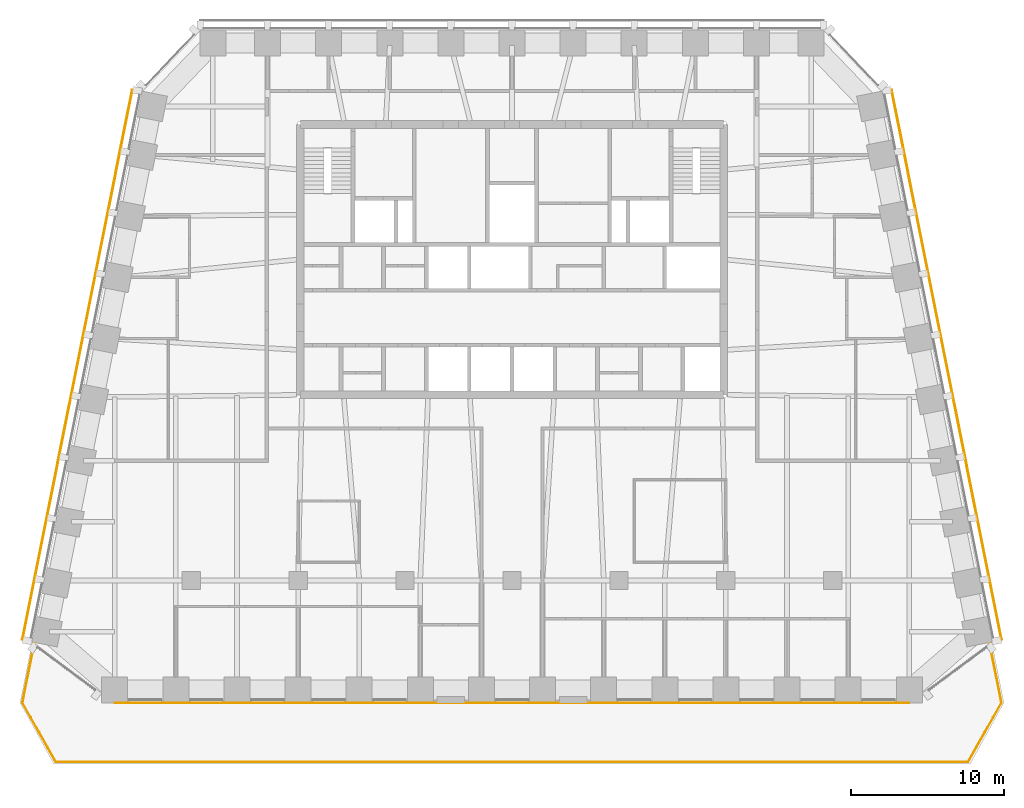
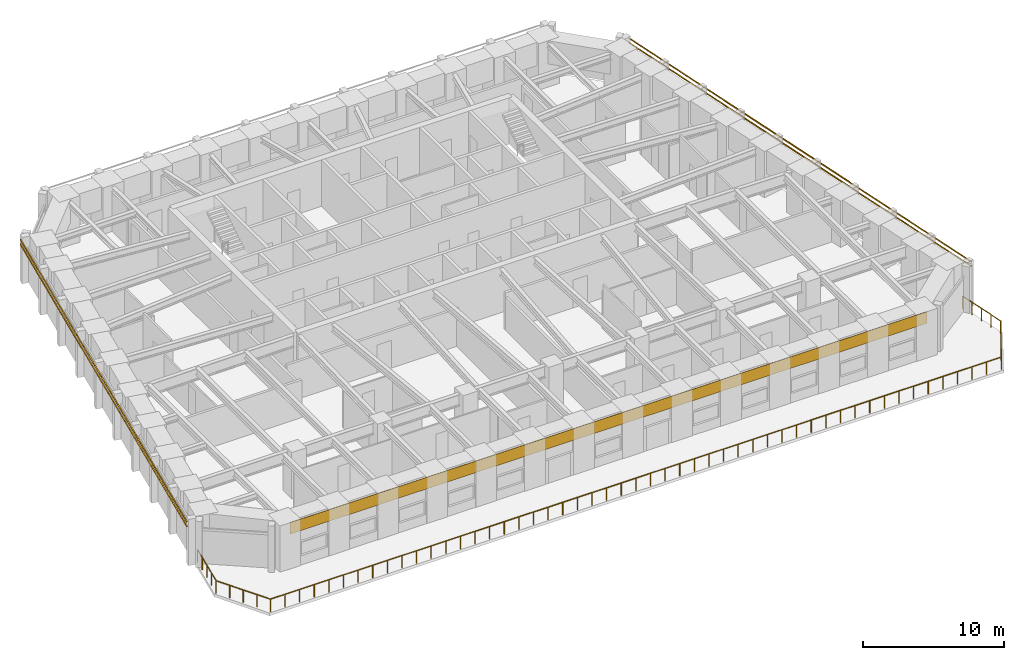
# One storey, part 9 of 10: 4 shading devices, 1 covering, 1 railing.
"""IFC4 building model written with IfcOpenShell, lengths in metres."""

from ifc_helpers import new_model, si_unit, direction, frame, origin, origin_2d, place, context, subcontext, project, spatial, rectangle, circle, extrude, material, layer, layer_set, material_profile, profile_set, type_object, element, save


model = new_model("IFC4")

# Units and contexts
model_context = context("Model", 3, precision=1e-05, world=origin(), true_north=direction((0.0, 1.0)))
body_context = subcontext(model_context, "Body", "Model", "MODEL_VIEW")
ifc_project = project(units=[si_unit("LENGTHUNIT", "METRE"), si_unit("AREAUNIT", "SQUARE_METRE"), si_unit("VOLUMEUNIT", "CUBIC_METRE"), si_unit("PLANEANGLEUNIT", "RADIAN"), si_unit("MASSUNIT", "GRAM", prefix="KILO")], contexts=[model_context])

# Site, building, storey
site_placement = place(None, origin())
site = spatial("IfcSite", under=ifc_project, at=site_placement, CompositionType="ELEMENT")
building_placement = place(site_placement, origin())
building = spatial("IfcBuilding", under=site, at=building_placement, Name="Isbrekke Arena Tower", CompositionType="ELEMENT")
storey_placement = place(building_placement, frame((0.0, 0.0, 260.0)))
storey = spatial("IfcBuildingStorey", under=building, at=storey_placement, Name="L60", CompositionType="ELEMENT", Elevation=260.0)

# Shading devices
ifc_material_1 = material(Name="Terracotta", Category="masonry")
ifc_material_profile = material_profile(ifc_material_1, rectangle(XDim=0.06005859375, YDim=0.06005859375, at=origin_2d()), Name="BAGUETTE 60X60")
ifc_profile_set = profile_set([ifc_material_profile], Name="Terracotta")
shading_device_type = type_object("IfcShadingDeviceType", Name="BG1 TERRACOTTA BAGUETTE 60 x 60", PredefinedType="USERDEFINED", material=ifc_profile_set)
for number, where, z_axis, x_axis, name in (
    (1, (32.042236328125, -9.87158203125, 3.280029296875), (-0.196114856294, 0.980580931459, 0.0), (-0.980580931459, -0.196114856294, 0.0), "BG1 terracotta baguette E1 L60"),
    (2, (32.042236328125, -9.87158203125, 3.679931640625), (-0.196114856294, 0.980580931459, 0.0), (-0.980580931459, -0.196114856294, 0.0), "BG1 terracotta baguette E2 L60"),
    (3, (-24.84228515625, 26.12841796875, 3.280029296875), (-0.196114856294, -0.980580931459, 0.0), (0.980580931459, -0.196114856294, 0.0), "BG1 terracotta baguette W1 L60"),
    (4, (-24.84228515625, 26.12841796875, 3.679931640625), (-0.196114856294, -0.980580931459, 0.0), (0.980580931459, -0.196114856294, 0.0), "BG1 terracotta baguette W2 L60"),
):
    element("IfcShadingDevice", number, at=place(storey_placement, frame(where, z_axis=z_axis, x_axis=x_axis)), inside=storey, type_object=shading_device_type, Name=name, ObjectType="TERRACOTTA BAGUETTE", PredefinedType="USERDEFINED", context=body_context, shape_type="SweptSolid", body=[
        extrude(rectangle(XDim=0.06005859375, YDim=0.06005859375, at=origin_2d()), origin(), (0.0, 0.0, 1.0), 36.712890625),
    ])

# Covering
ifc_material_2 = material(Name="Pre-patinated copper sheet", Category="metal")
ifc_layer = layer(ifc_material_2, 0.02001953125)
ifc_layer_set = layer_set([ifc_layer], Name="CL1 COPPER CLADDING")
covering_type = type_object("IfcCoveringType", Name="CL1 COPPER CLADDING", PredefinedType="CLADDING", material=ifc_layer_set)
covering_placement = place(storey_placement, frame((0.0, -14.010009765625, 3.0), z_axis=(0.0, 0.0, 1.0), x_axis=(1.0, 0.0, 0.0)))
element("IfcCovering", 5, at=covering_placement, inside=storey, type_object=covering_type, Name="CL1 copper cladding L60", PredefinedType="CLADDING", context=body_context, shape_type="SweptSolid", body=[
    extrude(rectangle(XDim=52.0, YDim=0.02001953125, at=origin_2d()), origin(), (0.0, 0.0, 1.0), 1.0),
])

# Railing
ifc_material_3 = material(Name="Galvanised steel guard", Category="steel")
railing_type = type_object("IfcRailingType", Name="GR2 TERRACE GUARD 1100", PredefinedType="GUARDRAIL", material=ifc_material_3)
railing_placement = place(storey_placement, frame((-31.242919921875, -10.0, 0.0)))
element("IfcRailing", 6, at=railing_placement, inside=storey, type_object=railing_type, Name="GR2 terrace guard L60", PredefinedType="GUARDRAIL", context=body_context, shape_type="SweptSolid", body=[
    extrude(circle(Radius=0.02392578125, at=origin_2d()), frame((0.0, 0.0, 1.076171875), z_axis=(-0.195206624513, -0.98076213923, 0.0), x_axis=(0.98076213923, -0.195206624513, 0.0)), (0.0, 0.0, 1.0), 4.078369140625),
    extrude(circle(Radius=0.02392578125, at=origin_2d()), frame((-0.796142578125, -4.0, 1.076171875), z_axis=(0.491374486858, -0.870948398968, 0.0), x_axis=(0.870948398968, 0.491374486858, 0.0)), (0.0, 0.0, 1.0), 4.454833984375),
    extrude(circle(Radius=0.02392578125, at=origin_2d()), frame((1.392822265625, -7.8798828125, 1.076171875), z_axis=(1.0, 0.0, 0.0), x_axis=(0.0, 1.0, 0.0)), (0.0, 0.0, 1.0), 59.7001953125),
    extrude(circle(Radius=0.02392578125, at=origin_2d()), frame((61.093017578125, -7.8798828125, 1.076171875), z_axis=(0.491374486858, 0.870948398968, 0.0), x_axis=(-0.870948398968, 0.491374486858, 0.0)), (0.0, 0.0, 1.0), 4.454833984375),
    extrude(circle(Radius=0.02392578125, at=origin_2d()), frame((63.281982421875, -4.0, 1.076171875), z_axis=(-0.195206624513, 0.98076213923, 0.0), x_axis=(-0.98076213923, -0.195206624513, 0.0)), (0.0, 0.0, 1.0), 4.078369140625),
    extrude(circle(Radius=0.02099609375, at=origin_2d()), origin(), (0.0, 0.0, 1.0), 1.052001953125),
    extrude(circle(Radius=0.02099609375, at=origin_2d()), frame((-0.198974609375, -1.0, 0.0)), (0.0, 0.0, 1.0), 1.052001953125),
    extrude(circle(Radius=0.02099609375, at=origin_2d()), frame((-0.39794921875, -2.0, 0.0)), (0.0, 0.0, 1.0), 1.052001953125),
    extrude(circle(Radius=0.02099609375, at=origin_2d()), frame((-0.59716796875, -3.0, 0.0)), (0.0, 0.0, 1.0), 1.052001953125),
    extrude(circle(Radius=0.02099609375, at=origin_2d()), frame((-0.796142578125, -4.0, 0.0)), (0.0, 0.0, 1.0), 1.052001953125),
    extrude(circle(Radius=0.02099609375, at=origin_2d()), frame((-0.2490234375, -4.969970703125, 0.0)), (0.0, 0.0, 1.0), 1.052001953125),
    extrude(circle(Radius=0.02099609375, at=origin_2d()), frame((0.29833984375, -5.93994140625, 0.0)), (0.0, 0.0, 1.0), 1.052001953125),
    extrude(circle(Radius=0.02099609375, at=origin_2d()), frame((0.845703125, -6.909912109375, 0.0)), (0.0, 0.0, 1.0), 1.052001953125),
    extrude(circle(Radius=0.02099609375, at=origin_2d()), frame((1.392822265625, -7.8798828125, 0.0)), (0.0, 0.0, 1.0), 1.052001953125),
    extrude(circle(Radius=0.02099609375, at=origin_2d()), frame((2.5869140625, -7.8798828125, 0.0)), (0.0, 0.0, 1.0), 1.052001953125),
    extrude(circle(Radius=0.02099609375, at=origin_2d()), frame((3.78076171875, -7.8798828125, 0.0)), (0.0, 0.0, 1.0), 1.052001953125),
    extrude(circle(Radius=0.02099609375, at=origin_2d()), frame((4.974853515625, -7.8798828125, 0.0)), (0.0, 0.0, 1.0), 1.052001953125),
    extrude(circle(Radius=0.02099609375, at=origin_2d()), frame((6.1689453125, -7.8798828125, 0.0)), (0.0, 0.0, 1.0), 1.052001953125),
    extrude(circle(Radius=0.02099609375, at=origin_2d()), frame((7.36279296875, -7.8798828125, 0.0)), (0.0, 0.0, 1.0), 1.052001953125),
    extrude(circle(Radius=0.02099609375, at=origin_2d()), frame((8.556884765625, -7.8798828125, 0.0)), (0.0, 0.0, 1.0), 1.052001953125),
    extrude(circle(Radius=0.02099609375, at=origin_2d()), frame((9.750732421875, -7.8798828125, 0.0)), (0.0, 0.0, 1.0), 1.052001953125),
    extrude(circle(Radius=0.02099609375, at=origin_2d()), frame((10.94482421875, -7.8798828125, 0.0)), (0.0, 0.0, 1.0), 1.052001953125),
    extrude(circle(Radius=0.02099609375, at=origin_2d()), frame((12.138916015625, -7.8798828125, 0.0)), (0.0, 0.0, 1.0), 1.052001953125),
    extrude(circle(Radius=0.02099609375, at=origin_2d()), frame((13.332763671875, -7.8798828125, 0.0)), (0.0, 0.0, 1.0), 1.052001953125),
    extrude(circle(Radius=0.02099609375, at=origin_2d()), frame((14.52685546875, -7.8798828125, 0.0)), (0.0, 0.0, 1.0), 1.052001953125),
    extrude(circle(Radius=0.02099609375, at=origin_2d()), frame((15.720947265625, -7.8798828125, 0.0)), (0.0, 0.0, 1.0), 1.052001953125),
    extrude(circle(Radius=0.02099609375, at=origin_2d()), frame((16.914794921875, -7.8798828125, 0.0)), (0.0, 0.0, 1.0), 1.052001953125),
    extrude(circle(Radius=0.02099609375, at=origin_2d()), frame((18.10888671875, -7.8798828125, 0.0)), (0.0, 0.0, 1.0), 1.052001953125),
    extrude(circle(Radius=0.02099609375, at=origin_2d()), frame((19.302978515625, -7.8798828125, 0.0)), (0.0, 0.0, 1.0), 1.052001953125),
    extrude(circle(Radius=0.02099609375, at=origin_2d()), frame((20.496826171875, -7.8798828125, 0.0)), (0.0, 0.0, 1.0), 1.052001953125),
    extrude(circle(Radius=0.02099609375, at=origin_2d()), frame((21.69091796875, -7.8798828125, 0.0)), (0.0, 0.0, 1.0), 1.052001953125),
    extrude(circle(Radius=0.02099609375, at=origin_2d()), frame((22.885009765625, -7.8798828125, 0.0)), (0.0, 0.0, 1.0), 1.052001953125),
    extrude(circle(Radius=0.02099609375, at=origin_2d()), frame((24.078857421875, -7.8798828125, 0.0)), (0.0, 0.0, 1.0), 1.052001953125),
    extrude(circle(Radius=0.02099609375, at=origin_2d()), frame((25.27294921875, -7.8798828125, 0.0)), (0.0, 0.0, 1.0), 1.052001953125),
    extrude(circle(Radius=0.02099609375, at=origin_2d()), frame((26.466796875, -7.8798828125, 0.0)), (0.0, 0.0, 1.0), 1.052001953125),
    extrude(circle(Radius=0.02099609375, at=origin_2d()), frame((27.660888671875, -7.8798828125, 0.0)), (0.0, 0.0, 1.0), 1.052001953125),
    extrude(circle(Radius=0.02099609375, at=origin_2d()), frame((28.85498046875, -7.8798828125, 0.0)), (0.0, 0.0, 1.0), 1.052001953125),
    extrude(circle(Radius=0.02099609375, at=origin_2d()), frame((30.048828125, -7.8798828125, 0.0)), (0.0, 0.0, 1.0), 1.052001953125),
    extrude(circle(Radius=0.02099609375, at=origin_2d()), frame((31.242919921875, -7.8798828125, 0.0)), (0.0, 0.0, 1.0), 1.052001953125),
    extrude(circle(Radius=0.02099609375, at=origin_2d()), frame((32.43701171875, -7.8798828125, 0.0)), (0.0, 0.0, 1.0), 1.052001953125),
    extrude(circle(Radius=0.02099609375, at=origin_2d()), frame((33.630859375, -7.8798828125, 0.0)), (0.0, 0.0, 1.0), 1.052001953125),
    extrude(circle(Radius=0.02099609375, at=origin_2d()), frame((34.824951171875, -7.8798828125, 0.0)), (0.0, 0.0, 1.0), 1.052001953125),
    extrude(circle(Radius=0.02099609375, at=origin_2d()), frame((36.01904296875, -7.8798828125, 0.0)), (0.0, 0.0, 1.0), 1.052001953125),
    extrude(circle(Radius=0.02099609375, at=origin_2d()), frame((37.212890625, -7.8798828125, 0.0)), (0.0, 0.0, 1.0), 1.052001953125),
    extrude(circle(Radius=0.02099609375, at=origin_2d()), frame((38.406982421875, -7.8798828125, 0.0)), (0.0, 0.0, 1.0), 1.052001953125),
    extrude(circle(Radius=0.02099609375, at=origin_2d()), frame((39.600830078125, -7.8798828125, 0.0)), (0.0, 0.0, 1.0), 1.052001953125),
    extrude(circle(Radius=0.02099609375, at=origin_2d()), frame((40.794921875, -7.8798828125, 0.0)), (0.0, 0.0, 1.0), 1.052001953125),
    extrude(circle(Radius=0.02099609375, at=origin_2d()), frame((41.989013671875, -7.8798828125, 0.0)), (0.0, 0.0, 1.0), 1.052001953125),
    extrude(circle(Radius=0.02099609375, at=origin_2d()), frame((43.182861328125, -7.8798828125, 0.0)), (0.0, 0.0, 1.0), 1.052001953125),
    extrude(circle(Radius=0.02099609375, at=origin_2d()), frame((44.376953125, -7.8798828125, 0.0)), (0.0, 0.0, 1.0), 1.052001953125),
    extrude(circle(Radius=0.02099609375, at=origin_2d()), frame((45.571044921875, -7.8798828125, 0.0)), (0.0, 0.0, 1.0), 1.052001953125),
    extrude(circle(Radius=0.02099609375, at=origin_2d()), frame((46.764892578125, -7.8798828125, 0.0)), (0.0, 0.0, 1.0), 1.052001953125),
    extrude(circle(Radius=0.02099609375, at=origin_2d()), frame((47.958984375, -7.8798828125, 0.0)), (0.0, 0.0, 1.0), 1.052001953125),
    extrude(circle(Radius=0.02099609375, at=origin_2d()), frame((49.153076171875, -7.8798828125, 0.0)), (0.0, 0.0, 1.0), 1.052001953125),
    extrude(circle(Radius=0.02099609375, at=origin_2d()), frame((50.346923828125, -7.8798828125, 0.0)), (0.0, 0.0, 1.0), 1.052001953125),
    extrude(circle(Radius=0.02099609375, at=origin_2d()), frame((51.541015625, -7.8798828125, 0.0)), (0.0, 0.0, 1.0), 1.052001953125),
    extrude(circle(Radius=0.02099609375, at=origin_2d()), frame((52.735107421875, -7.8798828125, 0.0)), (0.0, 0.0, 1.0), 1.052001953125),
    extrude(circle(Radius=0.02099609375, at=origin_2d()), frame((53.928955078125, -7.8798828125, 0.0)), (0.0, 0.0, 1.0), 1.052001953125),
    extrude(circle(Radius=0.02099609375, at=origin_2d()), frame((55.123046875, -7.8798828125, 0.0)), (0.0, 0.0, 1.0), 1.052001953125),
    extrude(circle(Radius=0.02099609375, at=origin_2d()), frame((56.31689453125, -7.8798828125, 0.0)), (0.0, 0.0, 1.0), 1.052001953125),
    extrude(circle(Radius=0.02099609375, at=origin_2d()), frame((57.510986328125, -7.8798828125, 0.0)), (0.0, 0.0, 1.0), 1.052001953125),
    extrude(circle(Radius=0.02099609375, at=origin_2d()), frame((58.705078125, -7.8798828125, 0.0)), (0.0, 0.0, 1.0), 1.052001953125),
    extrude(circle(Radius=0.02099609375, at=origin_2d()), frame((59.89892578125, -7.8798828125, 0.0)), (0.0, 0.0, 1.0), 1.052001953125),
    extrude(circle(Radius=0.02099609375, at=origin_2d()), frame((61.093017578125, -7.8798828125, 0.0)), (0.0, 0.0, 1.0), 1.052001953125),
    extrude(circle(Radius=0.02099609375, at=origin_2d()), frame((61.64013671875, -6.909912109375, 0.0)), (0.0, 0.0, 1.0), 1.052001953125),
    extrude(circle(Radius=0.02099609375, at=origin_2d()), frame((62.1875, -5.93994140625, 0.0)), (0.0, 0.0, 1.0), 1.052001953125),
    extrude(circle(Radius=0.02099609375, at=origin_2d()), frame((62.73486328125, -4.969970703125, 0.0)), (0.0, 0.0, 1.0), 1.052001953125),
    extrude(circle(Radius=0.02099609375, at=origin_2d()), frame((63.281982421875, -4.0, 0.0)), (0.0, 0.0, 1.0), 1.052001953125),
    extrude(circle(Radius=0.02099609375, at=origin_2d()), frame((63.0830078125, -3.0, 0.0)), (0.0, 0.0, 1.0), 1.052001953125),
    extrude(circle(Radius=0.02099609375, at=origin_2d()), frame((62.8837890625, -2.0, 0.0)), (0.0, 0.0, 1.0), 1.052001953125),
    extrude(circle(Radius=0.02099609375, at=origin_2d()), frame((62.684814453125, -1.0, 0.0)), (0.0, 0.0, 1.0), 1.052001953125),
    extrude(circle(Radius=0.02099609375, at=origin_2d()), frame((62.48583984375, 0.0, 0.0)), (0.0, 0.0, 1.0), 1.052001953125),
])

save(model, "model.ifc")
